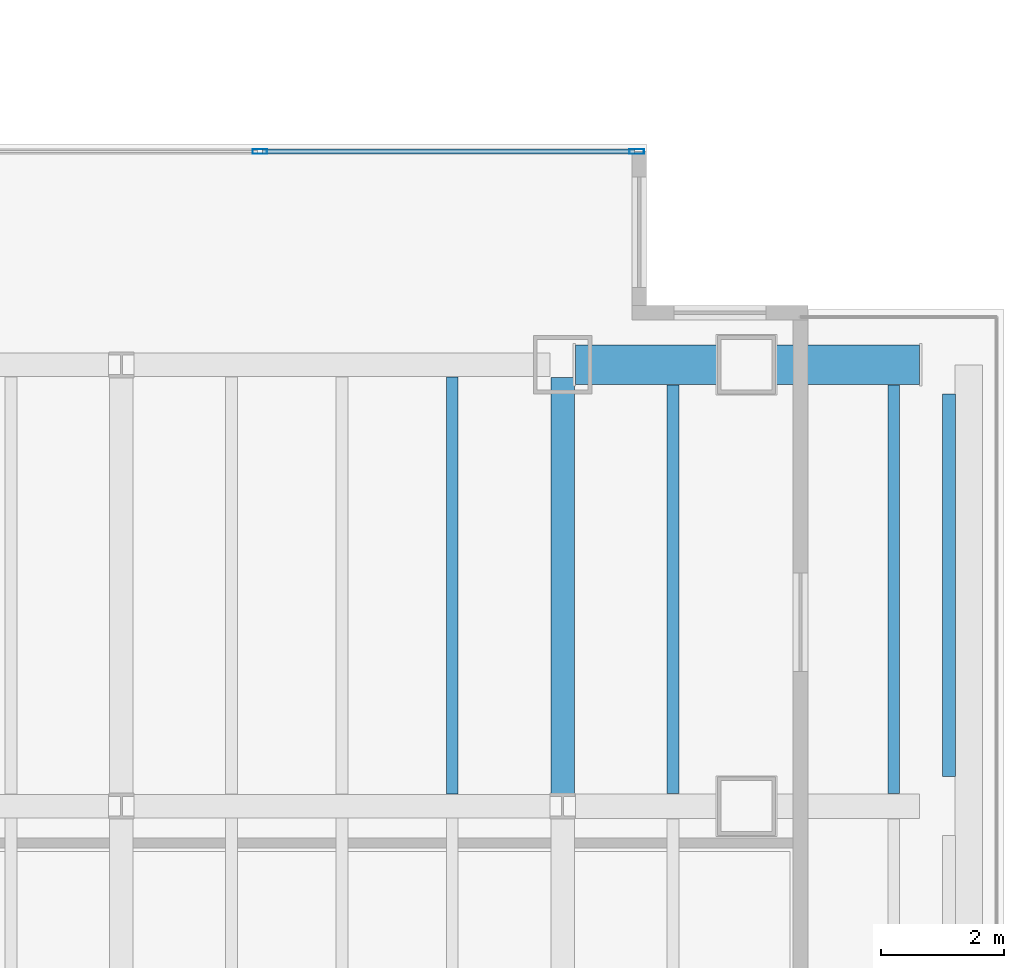
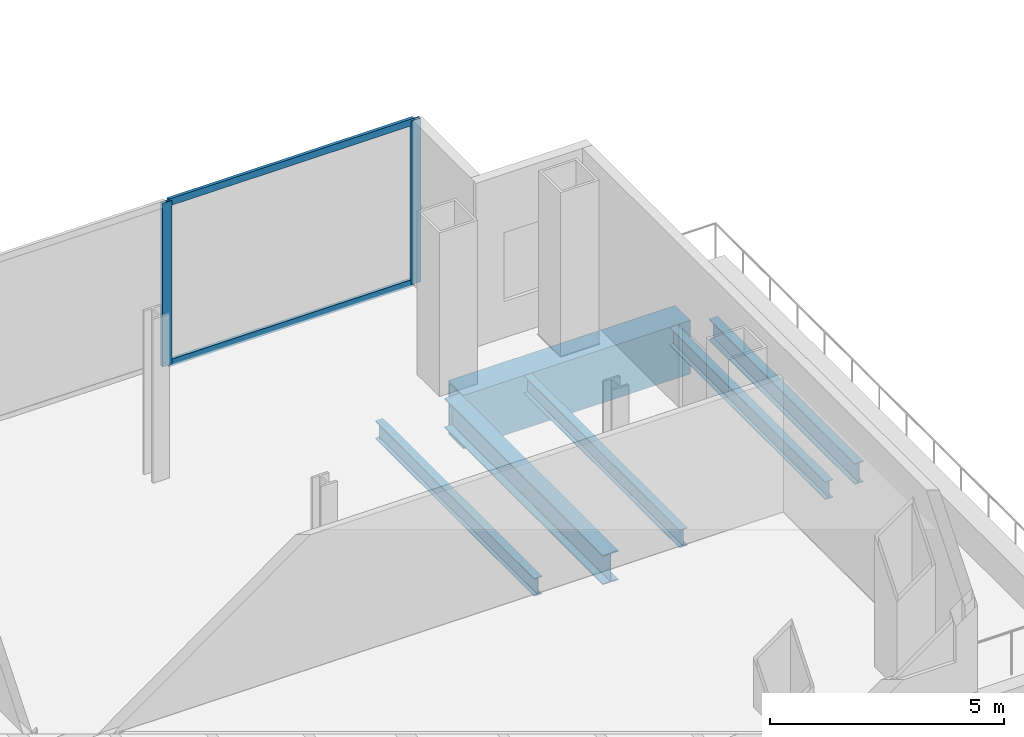
# One storey, part 8 of 16: 6 beams, 4 members, 1 element without a shape of its own.
"""IFC4 building model written with IfcOpenShell, lengths in metres."""

from ifc_helpers import new_model, si_unit, direction, frame, origin, origin_2d, place, context, subcontext, project, spatial, hollow_rectangle, i_section, extrude, material, material_profile, profile_set, type_object, element, aggregate, save


model = new_model("IFC4")

# Units and contexts
model_context = context("Model", 3, precision=1e-05, world=origin(), true_north=direction((0.0, 1.0)))
body_context = subcontext(model_context, "Body", "Model", "MODEL_VIEW")
ifc_project = project(units=[si_unit("LENGTHUNIT", "METRE"), si_unit("AREAUNIT", "SQUARE_METRE"), si_unit("VOLUMEUNIT", "CUBIC_METRE"), si_unit("PLANEANGLEUNIT", "RADIAN"), si_unit("MASSUNIT", "GRAM", prefix="KILO")], contexts=[model_context])

# Site, building, storey
site_placement = place(None, origin())
site = spatial("IfcSite", under=ifc_project, at=site_placement, CompositionType="ELEMENT")
building_placement = place(site_placement, origin())
building = spatial("IfcBuilding", under=site, at=building_placement, Name="Cobrela Telecom Tower", CompositionType="ELEMENT")
storey_placement = place(building_placement, frame((0.0, 0.0, 97.64990234375)))
storey = spatial("IfcBuildingStorey", under=building, at=storey_placement, Name="L24", CompositionType="ELEMENT", Elevation=97.64990234375)

# Beams
ifc_material_1 = material(Name="Steel ASTM A992 Grade 50", Category="steel")
ifc_material_profile_1 = material_profile(ifc_material_1, i_section(OverallWidth=0.381103515625, OverallDepth=0.77197265625, WebThickness=0.0166015625, FlangeThickness=0.027099609375, FilletRadius=0.01904296875, at=origin_2d()), Name="W30X173")
ifc_profile_set_1 = profile_set([ifc_material_profile_1], Name="Steel ASTM A992 Grade 50")
beam_type_1 = type_object("IfcBeamType", Name="BM-GIRD-04", PredefinedType="USERDEFINED", material=ifc_profile_set_1)
beam_1_placement = place(storey_placement, frame((43.199951171875, 14.609619140625, -0.685791015625), z_axis=(0.0, 1.0, 0.0), x_axis=(-1.0, 0.0, 0.0)))
element("IfcBeam", 1, at=beam_1_placement, inside=storey, type_object=beam_type_1, Name="L24 Primary Girder Y37", ObjectType="GIRDER", PredefinedType="USERDEFINED", context=body_context, shape_type="SweptSolid", body=[
    extrude(i_section(OverallWidth=0.381103515625, OverallDepth=0.77197265625, WebThickness=0.0166015625, FlangeThickness=0.027099609375, FilletRadius=0.01904296875, at=origin_2d()), origin(), (0.0, 0.0, 1.0), 6.78076171875),
])
ifc_material_profile_2 = material_profile(ifc_material_1, i_section(OverallWidth=0.193115234375, OverallDepth=0.467041015625, WebThickness=0.011474609375, FlangeThickness=0.01904296875, FilletRadius=0.012939453125, at=origin_2d()), Name="W18X65")
ifc_profile_set_2 = profile_set([ifc_material_profile_2], Name="Steel ASTM A992 Grade 50")
beam_type_2 = type_object("IfcBeamType", Name="BM-JOIST-03", PredefinedType="JOIST", material=ifc_profile_set_2)
beam_2_placement = place(storey_placement, frame((41.39990234375, 14.595458984375, -0.533447265625), z_axis=(0.0, 1.0, 0.0), x_axis=(-1.0, 0.0, 0.0)))
element("IfcBeam", 2, at=beam_2_placement, inside=storey, type_object=beam_type_2, Name="L24 Secondary Composite Floor Beam J38", PredefinedType="JOIST", context=body_context, shape_type="SweptSolid", body=[
    extrude(i_section(OverallWidth=0.193115234375, OverallDepth=0.467041015625, WebThickness=0.011474609375, FlangeThickness=0.01904296875, FilletRadius=0.012939453125, at=origin_2d()), origin(), (0.0, 0.0, 1.0), 6.80908203125),
])
for number, where, z_axis, x_axis, name in (
    (3, (45.0, 14.60693359375, -0.533447265625), (0.0, 1.0, 0.0), (-1.0, 0.0, 0.0), "L24 Secondary Composite Floor Beam J40"),
    (4, (48.60009765625, 14.60693359375, -0.533447265625), (0.0, 1.0, 0.0), (-1.0, 0.0, 0.0), "L24 Secondary Composite Floor Beam J42"),
):
    element("IfcBeam", number, at=place(storey_placement, frame(where, z_axis=z_axis, x_axis=x_axis)), inside=storey, type_object=beam_type_2, Name=name, PredefinedType="JOIST", context=body_context, shape_type="SweptSolid", body=[
        extrude(i_section(OverallWidth=0.193115234375, OverallDepth=0.467041015625, WebThickness=0.011474609375, FlangeThickness=0.01904296875, FilletRadius=0.012939453125, at=origin_2d()), origin(), (0.0, 0.0, 1.0), 6.6630859375),
    ])
ifc_material_profile_3 = material_profile(ifc_material_1, i_section(OverallWidth=0.212890625, OverallDepth=0.549072265625, WebThickness=0.0146484375, FlangeThickness=0.023681640625, FilletRadius=0.013916015625, at=origin_2d()), Name="W21X93")
ifc_profile_set_3 = profile_set([ifc_material_profile_3], Name="Steel ASTM A992 Grade 50")
beam_type_3 = type_object("IfcBeamType", Name="BM-SPAND-03", PredefinedType="SPANDREL", material=ifc_profile_set_3)
beam_3_placement = place(storey_placement, frame((49.5, 14.8798828125, -0.574462890625), z_axis=(0.0, 1.0, 0.0), x_axis=(-1.0, 0.0, 0.0)))
element("IfcBeam", 5, at=beam_3_placement, inside=storey, type_object=beam_type_3, Name="L24 Perimeter Spandrel Y39", PredefinedType="SPANDREL", context=body_context, shape_type="SweptSolid", body=[
    extrude(i_section(OverallWidth=0.212890625, OverallDepth=0.549072265625, WebThickness=0.0146484375, FlangeThickness=0.023681640625, FilletRadius=0.013916015625, at=origin_2d()), origin(), (0.0, 0.0, 1.0), 6.240234375),
])
ifc_material_2 = material(Name="Steel ASTM A572 Grade 50", Category="steel")
ifc_material_profile_4 = material_profile(ifc_material_2, hollow_rectangle(XDim=0.64990234375, YDim=1.39990234375, WallThickness=0.054931640625, at=origin_2d()), Name="BOX 1400x650x55")
ifc_profile_set_4 = profile_set([ifc_material_profile_4], Name="Steel ASTM A572 Grade 50")
beam_type_4 = type_object("IfcBeamType", Name="BM-TRG-1400", PredefinedType="USERDEFINED", material=ifc_profile_set_4)
beam_4_placement = place(storey_placement, frame((43.409423828125, 21.60009765625, -1.0), z_axis=(1.0, 0.0, 0.0), x_axis=(0.0, 1.0, 0.0)))
element("IfcBeam", 6, at=beam_4_placement, inside=storey, type_object=beam_type_4, Name="L24 Transfer Girder 11", ObjectType="GIRDER", PredefinedType="USERDEFINED", context=body_context, shape_type="SweptSolid", body=[
    extrude(hollow_rectangle(XDim=0.64990234375, YDim=1.39990234375, WallThickness=0.054931640625, at=origin_2d()), origin(), (0.0, 0.0, 1.0), 5.610595703125),
])

# Curtain wall, members
ifc_material_3 = material(Name="Anodized Bronze Aluminium 6063-T6", Category="aluminium")
curtain_wall_type = type_object("IfcCurtainWallType", Name="CW-SYS-SKY", PredefinedType="USERDEFINED", material=ifc_material_3)
curtain_wall_placement = place(storey_placement, origin())
curtain_wall = element("IfcCurtainWall", 7, at=curtain_wall_placement, inside=storey, type_object=curtain_wall_type, Name="L24 Unitised Bronze Curtain Wall 11", ObjectType="UNITISED CURTAIN WALL", PredefinedType="USERDEFINED")
ifc_material_profile_5 = material_profile(ifc_material_3, hollow_rectangle(XDim=0.080078125, YDim=0.239990234375, WallThickness=0.0048828125, at=origin_2d()), Name="ALU 80x240x5")
ifc_profile_set_5 = profile_set([ifc_material_profile_5], Name="Anodized Bronze Aluminium 6063-T6")
member_type_1 = type_object("IfcMemberType", Name="CW-SYS-SKY-MUL", PredefinedType="MULLION", material=ifc_profile_set_5)
member_1_placement = place(storey_placement, frame((38.260009765625, 25.080078125, 0.0), z_axis=(0.0, 0.0, 1.0), x_axis=(0.0, 1.0, 0.0)))
member_1 = element("IfcMember", 8, at=member_1_placement, type_object=member_type_1, Name="CW-SKY mullion 3", PredefinedType="MULLION", context=body_context, shape_type="SweptSolid", body=[
    extrude(hollow_rectangle(XDim=0.080078125, YDim=0.239990234375, WallThickness=0.0048828125, at=origin_2d()), origin(), (0.0, 0.0, 1.0), 4.280029296875),
])
member_2_placement = place(storey_placement, frame((44.409912109375, 25.080078125, 0.0), z_axis=(0.0, 0.0, 1.0), x_axis=(0.0, 1.0, 0.0)))
member_2 = element("IfcMember", 9, at=member_2_placement, type_object=member_type_1, Name="CW-SKY mullion 4", PredefinedType="MULLION", context=body_context, shape_type="SweptSolid", body=[
    extrude(hollow_rectangle(XDim=0.080078125, YDim=0.239990234375, WallThickness=0.0048828125, at=origin_2d()), origin(), (0.0, 0.0, 1.0), 4.280029296875),
])
ifc_material_profile_6 = material_profile(ifc_material_3, hollow_rectangle(XDim=0.074951171875, YDim=0.179931640625, WallThickness=0.00390625, at=origin_2d()), Name="ALU 75x180x4")
ifc_profile_set_6 = profile_set([ifc_material_profile_6], Name="Anodized Bronze Aluminium 6063-T6")
member_type_2 = type_object("IfcMemberType", Name="CW-SYS-SKY-TRN", PredefinedType="USERDEFINED", material=ifc_profile_set_6)
member_3_placement = place(storey_placement, frame((38.300048828125, 25.080078125, 0.03759765625), z_axis=(1.0, 0.0, 0.0), x_axis=(0.0, 1.0, 0.0)))
member_3 = element("IfcMember", 10, at=member_3_placement, type_object=member_type_2, Name="CW-SKY transom 3.1", ObjectType="TRANSOM", PredefinedType="USERDEFINED", context=body_context, shape_type="SweptSolid", body=[
    extrude(hollow_rectangle(XDim=0.074951171875, YDim=0.179931640625, WallThickness=0.00390625, at=origin_2d()), origin(), (0.0, 0.0, 1.0), 6.070068359375),
])
member_4_placement = place(storey_placement, frame((38.300048828125, 25.080078125, 4.24267578125), z_axis=(1.0, 0.0, 0.0), x_axis=(0.0, 1.0, 0.0)))
member_4 = element("IfcMember", 11, at=member_4_placement, type_object=member_type_2, Name="CW-SKY transom 3.2", ObjectType="TRANSOM", PredefinedType="USERDEFINED", context=body_context, shape_type="SweptSolid", body=[
    extrude(hollow_rectangle(XDim=0.074951171875, YDim=0.179931640625, WallThickness=0.00390625, at=origin_2d()), origin(), (0.0, 0.0, 1.0), 6.070068359375),
])
aggregate(curtain_wall, [member_1, member_2, member_3, member_4])

save(model, "model.ifc")
